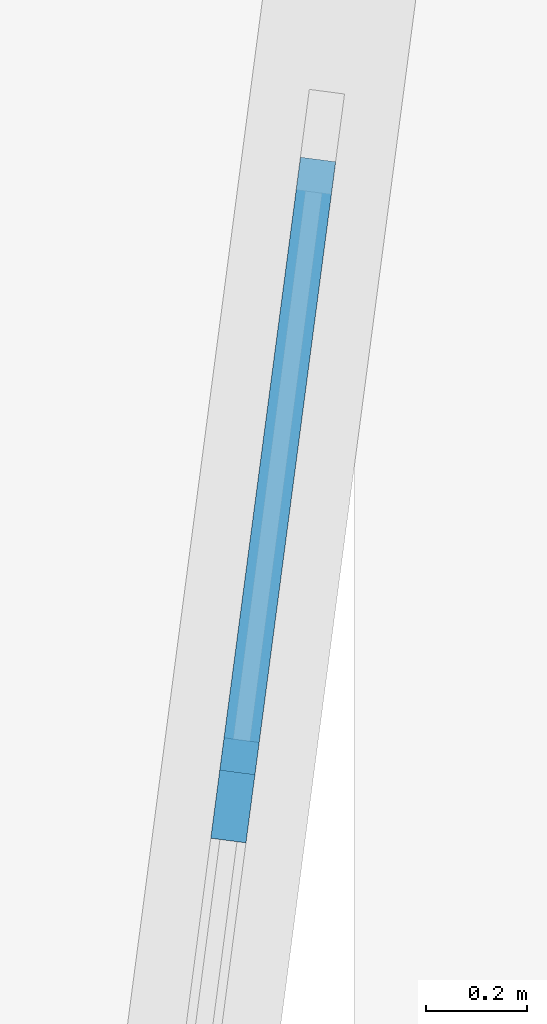
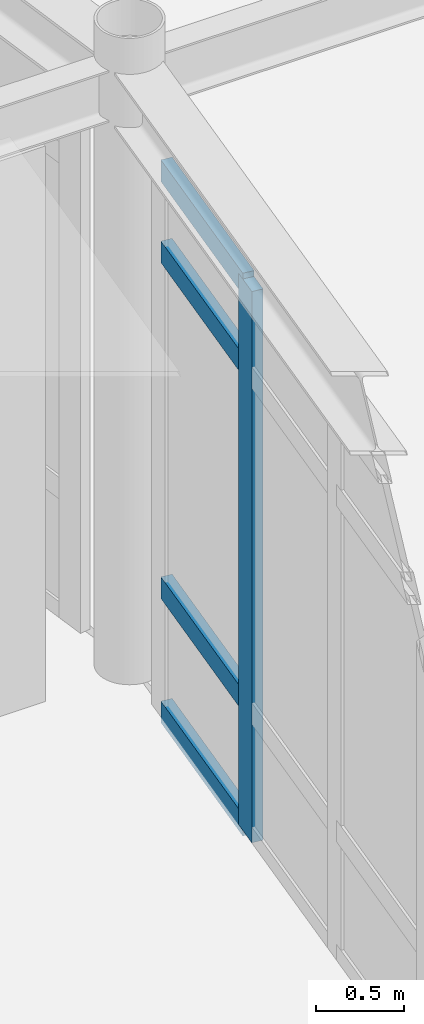
# One storey, part 36 of 101: 5 members, 1 element without a shape of its own.
"""IFC4 building model written with IfcOpenShell, lengths in metres."""

from ifc_helpers import new_model, si_unit, derived_unit, direction, frame, origin, origin_2d, place, context, subcontext, project, spatial, rectangle, extrude, material, layer, layer_set, material_profile, profile_set, type_object, element, aggregate, save


model = new_model("IFC4")

# Units and contexts
model_context = context("Model", 3, precision=1e-05, world=origin(), true_north=direction((0.0, 1.0)))
body_context = subcontext(model_context, "Body", "Model", "MODEL_VIEW")
ifc_project = project(units=[si_unit("LENGTHUNIT", "METRE"), si_unit("AREAUNIT", "SQUARE_METRE"), si_unit("VOLUMEUNIT", "CUBIC_METRE"), si_unit("PLANEANGLEUNIT", "RADIAN"), si_unit("MASSUNIT", "GRAM", prefix="KILO"), derived_unit("THERMALTRANSMITTANCEUNIT", [(si_unit("POWERUNIT", "WATT"), 1), (si_unit("AREAUNIT", "SQUARE_METRE"), -1), (si_unit("THERMODYNAMICTEMPERATUREUNIT", "KELVIN"), -1)])], contexts=[model_context])

# Site, building, storey
site_placement = place(None, origin())
site = spatial("IfcSite", under=ifc_project, at=site_placement, CompositionType="ELEMENT")
building_placement = place(site_placement, origin())
building = spatial("IfcBuilding", under=site, at=building_placement, Name="Yasenodar Specialist Clinic", CompositionType="ELEMENT")
storey_placement = place(building_placement, origin())
storey = spatial("IfcBuildingStorey", under=building, at=storey_placement, Name="L00", CompositionType="ELEMENT", Elevation=0.0)

# Curtain wall, members
ifc_material_1 = material(Name="Bronze Anodized Aluminium and Triple Low-E Glass", Category="aluminium")
ifc_layer = layer(ifc_material_1, 0.1669921875)
ifc_layer_set = layer_set([ifc_layer], Name="Bronze Anodized Aluminium and Triple Low-E Glass")
curtain_wall_type = type_object("IfcCurtainWallType", Name="CW-SYS-01", PredefinedType="USERDEFINED", material=ifc_layer_set)
curtain_wall_placement = place(storey_placement, origin())
curtain_wall = element("IfcCurtainWall", 1, at=curtain_wall_placement, inside=storey, type_object=curtain_wall_type, Name="L00 Unitised Curtain Wall 013", ObjectType="UNITISED CURTAIN WALL", PredefinedType="USERDEFINED")
ifc_material_2 = material(Name="Bronze Anodized Aluminium", Category="aluminium")
ifc_material_profile_1 = material_profile(ifc_material_2, rectangle(XDim=0.070068359375, YDim=0.199951171875, at=origin_2d()), Name="CW-MULL 70x200")
ifc_profile_set_1 = profile_set([ifc_material_profile_1], Name="Bronze Anodized Aluminium")
member_type_1 = type_object("IfcMemberType", Name="CW-MULL-200", PredefinedType="MULLION", material=ifc_profile_set_1)
member_1_placement = place(storey_placement, frame((104.76416015625, 57.009033203125, 0.0), z_axis=(0.0, 0.0, 1.0), x_axis=(0.991446787601, -0.13051156024, 0.0)))
member_1 = element("IfcMember", 2, at=member_1_placement, type_object=member_type_1, Name="CW-01 mullion 2", PredefinedType="MULLION", context=body_context, shape_type="SweptSolid", body=[
    extrude(rectangle(XDim=0.070068359375, YDim=0.199951171875, at=origin_2d()), origin(), (0.0, 0.0, 1.0), 3.837890625),
])
ifc_material_profile_2 = material_profile(ifc_material_2, rectangle(XDim=0.070068359375, YDim=0.14990234375, at=origin_2d()), Name="CW-TRAN 70x150")
ifc_profile_set_2 = profile_set([ifc_material_profile_2], Name="Bronze Anodized Aluminium")
member_type_2 = type_object("IfcMemberType", Name="CW-TRAN-150", PredefinedType="USERDEFINED", material=ifc_profile_set_2)
member_2_placement = place(storey_placement, frame((104.92822265625, 58.254638671875, 0.034912109375), z_axis=(-0.130552774548, -0.991441361381, 0.0), x_axis=(0.991441361381, -0.130552774548, 0.0)))
member_2 = element("IfcMember", 3, at=member_2_placement, type_object=member_type_2, Name="CW-01 transom 1.1", ObjectType="TRANSOM", PredefinedType="USERDEFINED", context=body_context, shape_type="SweptSolid", body=[
    extrude(rectangle(XDim=0.070068359375, YDim=0.14990234375, at=origin_2d()), origin(), (0.0, 0.0, 1.0), 1.22119140625),
])
member_3_placement = place(storey_placement, frame((104.92822265625, 58.254638671875, 0.89990234375), z_axis=(-0.130552774548, -0.991441361381, 0.0), x_axis=(0.991441361381, -0.130552774548, 0.0)))
member_3 = element("IfcMember", 4, at=member_3_placement, type_object=member_type_2, Name="CW-01 transom 1.2", ObjectType="TRANSOM", PredefinedType="USERDEFINED", context=body_context, shape_type="SweptSolid", body=[
    extrude(rectangle(XDim=0.070068359375, YDim=0.14990234375, at=origin_2d()), origin(), (0.0, 0.0, 1.0), 1.22119140625),
])
member_4_placement = place(storey_placement, frame((104.92822265625, 58.254638671875, 3.238037109375), z_axis=(-0.130552774548, -0.991441361381, 0.0), x_axis=(0.991441361381, -0.130552774548, 0.0)))
member_4 = element("IfcMember", 5, at=member_4_placement, type_object=member_type_2, Name="CW-01 transom 1.3", ObjectType="TRANSOM", PredefinedType="USERDEFINED", context=body_context, shape_type="SweptSolid", body=[
    extrude(rectangle(XDim=0.070068359375, YDim=0.14990234375, at=origin_2d()), origin(), (0.0, 0.0, 1.0), 1.22119140625),
])
member_5_placement = place(storey_placement, frame((104.92822265625, 58.254638671875, 3.802978515625), z_axis=(-0.130552774548, -0.991441361381, 0.0), x_axis=(0.991441361381, -0.130552774548, 0.0)))
member_5 = element("IfcMember", 6, at=member_5_placement, type_object=member_type_2, Name="CW-01 transom 1.4", ObjectType="TRANSOM", PredefinedType="USERDEFINED", context=body_context, shape_type="SweptSolid", body=[
    extrude(rectangle(XDim=0.070068359375, YDim=0.14990234375, at=origin_2d()), origin(), (0.0, 0.0, 1.0), 1.22119140625),
])
aggregate(curtain_wall, [member_1, member_2, member_3, member_4, member_5])

save(model, "model.ifc")
